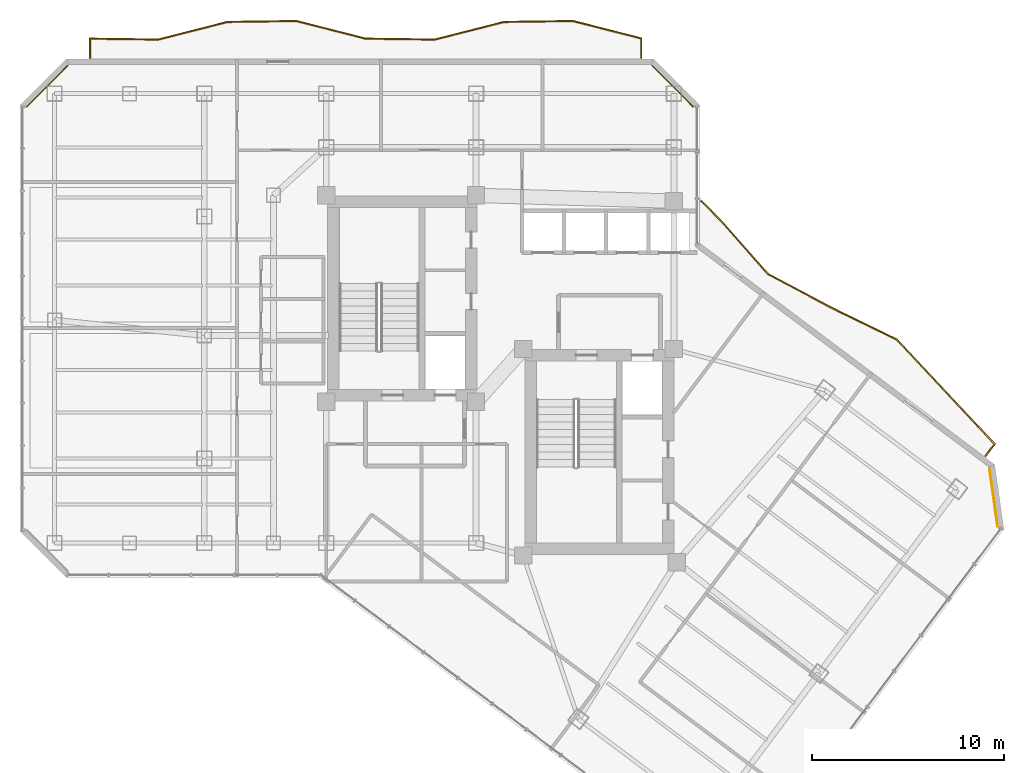
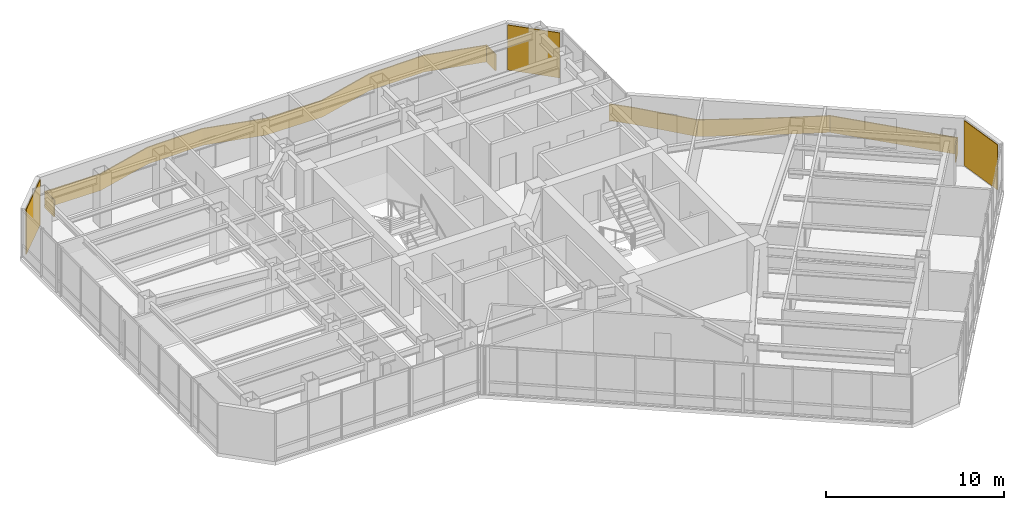
# One storey, part 29 of 29: 3 coverings, 2 railings.
"""IFC4 building model written with IfcOpenShell, lengths in metres."""

from ifc_helpers import new_model, si_unit, direction, frame, origin, origin_2d, place, context, subcontext, project, spatial, polyline, rectangle, outline, extrude, material, layer, layer_set, type_object, element, save


model = new_model("IFC4")

# Units and contexts
model_context = context("Model", 3, precision=1e-05, world=origin(), true_north=direction((0.0, 1.0)))
body_context = subcontext(model_context, "Body", "Model", "MODEL_VIEW")
ifc_project = project(units=[si_unit("LENGTHUNIT", "METRE"), si_unit("AREAUNIT", "SQUARE_METRE"), si_unit("VOLUMEUNIT", "CUBIC_METRE"), si_unit("PLANEANGLEUNIT", "RADIAN"), si_unit("MASSUNIT", "GRAM", prefix="KILO")], contexts=[model_context])

# Site, building, storey
site_placement = place(None, origin())
site = spatial("IfcSite", under=ifc_project, at=site_placement, CompositionType="ELEMENT")
building_placement = place(site_placement, origin())
building = spatial("IfcBuilding", under=site, at=building_placement, Name="Hatsunagi Terrace Concourse", CompositionType="ELEMENT")
storey_placement = place(building_placement, frame((0.0, 0.0, 178.050048828125)))
storey = spatial("IfcBuildingStorey", under=building, at=storey_placement, Name="L47", CompositionType="ELEMENT", Elevation=178.050048828125)

# Railings
ifc_material_1 = material(Name="Laminated Glass and Stainless Steel Guard", Category="steel")
ifc_layer_1 = layer(ifc_material_1, 0.070068359375)
ifc_layer_set_1 = layer_set([ifc_layer_1], Name="BalconyGlassGuardRail_1150")
railing_type = type_object("IfcRailingType", Name="BalconyGlassGuardRail_1150", PredefinedType="BALUSTRADE", material=ifc_layer_set_1)
railing_1_placement = place(storey_placement, origin())
element("IfcRailing", 1, at=railing_1_placement, inside=storey, type_object=railing_type, Name="Engawa Balcony Guard GRD-01 L47-BN-1", PredefinedType="BALUSTRADE", context=body_context, shape_type="SweptSolid", body=[
    extrude(outline(polyline([(13.215087890625, 50.449951171875), (13.284912109375, 50.449951171875), (13.284912109375, 51.428466796875), (16.810302734375, 51.3818359375), (20.41162109375, 52.300048828125), (23.98974609375, 52.347900390625), (27.58837890625, 51.43017578125), (31.210205078125, 51.3818359375), (34.8115234375, 52.300048828125), (38.389892578125, 52.347900390625), (41.9150390625, 51.44873046875), (41.9150390625, 50.449951171875), (41.985107421875, 50.449951171875), (41.985107421875, 51.503173828125), (38.398193359375, 52.418212890625), (34.802490234375, 52.369873046875), (31.201904296875, 51.4521484375), (27.59765625, 51.5), (23.998291015625, 52.418212890625), (20.40234375, 52.369873046875), (16.8017578125, 51.4521484375), (13.215087890625, 51.49951171875), (13.215087890625, 50.449951171875)])), origin(), (0.0, 0.0, 1.0), 1.14990234375),
])
railing_2_placement = place(storey_placement, origin())
element("IfcRailing", 2, at=railing_2_placement, inside=storey, type_object=railing_type, Name="Engawa Balcony Guard GRD-01 L47-BSE-1", PredefinedType="BALUSTRADE", context=body_context, shape_type="SweptSolid", body=[
    extrude(outline(polyline([(45.070556640625, 43.056884765625), (45.021484375, 43.007080078125), (46.01953125, 42.01708984375), (48.531005859375, 39.177001953125), (51.85400390625, 37.413818359375), (55.227783203125, 35.769287109375), (60.309326171875, 30.353515625), (59.842041015625, 29.73095703125), (59.89794921875, 29.68896484375), (60.400634765625, 30.3583984375), (55.27001953125, 35.82666015625), (51.885986328125, 37.476318359375), (48.574951171875, 39.23291015625), (46.070556640625, 42.06494140625), (45.070556640625, 43.056884765625)])), origin(), (0.0, 0.0, 1.0), 1.14990234375),
])

# Coverings
ifc_material_2 = material(Name="Unglazed Warm Terracotta Rainscreen Tile", Category="masonry")
ifc_layer_2 = layer(ifc_material_2, 0.044921875)
ifc_layer_set_2 = layer_set([ifc_layer_2], Name="TerracottaRainscreenCladding_45")
covering_type = type_object("IfcCoveringType", Name="TerracottaRainscreenCladding_45", PredefinedType="CLADDING", material=ifc_layer_set_2)
for number, where, z_axis, x_axis, name in (
    (3, (60.301025390625, 27.55810546875, 0.099853515625), (0.0, 0.0, 1.0), (0.141250262458, -0.989973920543, 0.0), "Terracotta Rainscreen Cladding L47-02"),
    (4, (11.013916015625, 48.986083984375, 0.099853515625), (0.0, 0.0, 1.0), (0.707106781187, 0.707106781187, 0.0), "Terracotta Rainscreen Cladding L47-10"),
    (5, (43.5859375, 48.986083984375, 0.099853515625), (0.0, 0.0, 1.0), (0.707106781187, -0.707106781187, 0.0), "Terracotta Rainscreen Cladding L47-12"),
):
    element("IfcCovering", number, at=place(storey_placement, frame(where, z_axis=z_axis, x_axis=x_axis)), inside=storey, type_object=covering_type, Name=name, PredefinedType="CLADDING", context=body_context, shape_type="SweptSolid", body=[
        extrude(rectangle(XDim=3.0380859375, YDim=0.044921875, at=origin_2d()), origin(), (0.0, 0.0, 1.0), 3.10009765625),
    ])

save(model, "model.ifc")
